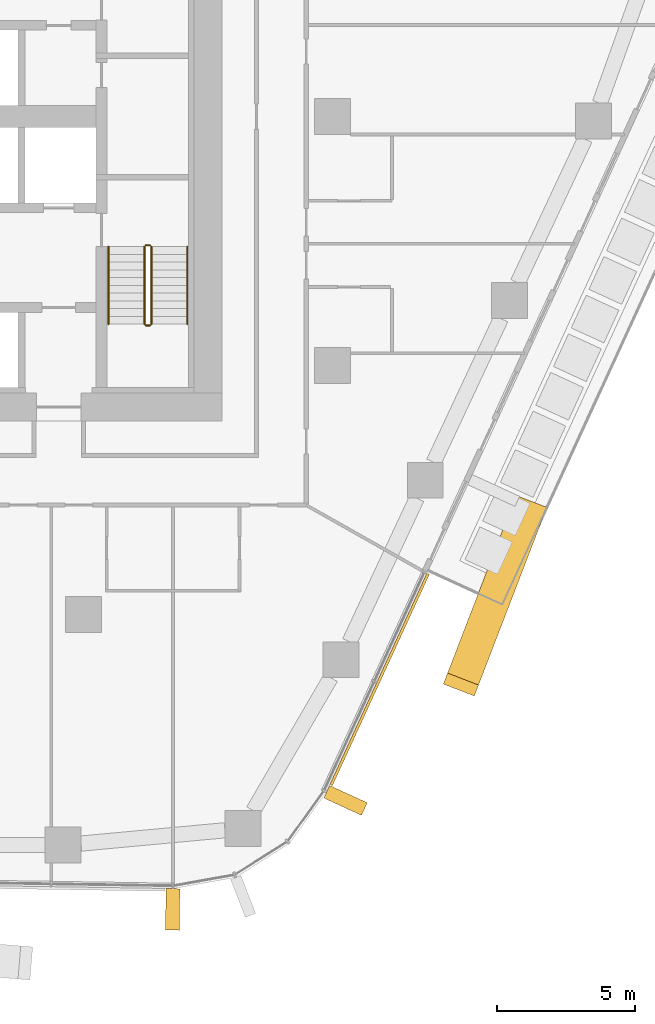
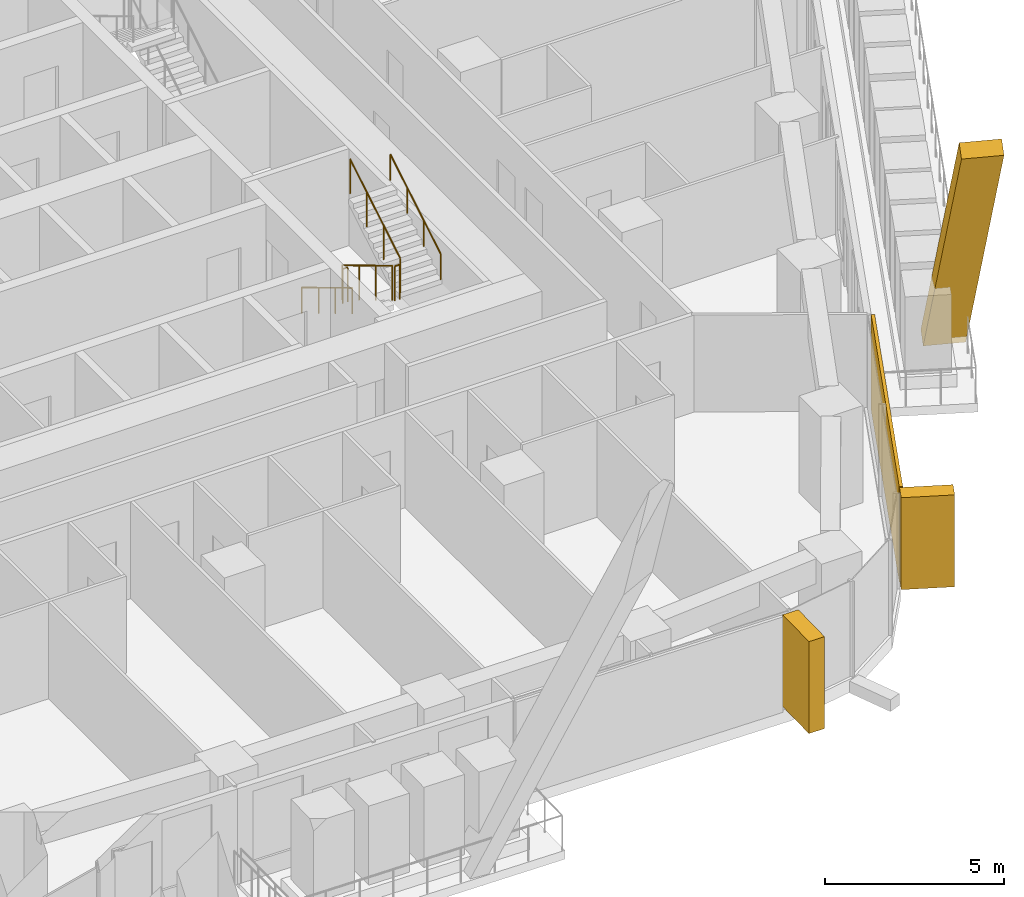
# One storey, part 21 of 25: 6 railings, 4 coverings, 2 elements without a shape of their own.
"""IFC4 building model written with IfcOpenShell, lengths in metres."""

from ifc_helpers import new_model, si_unit, direction, frame, origin, origin_2d, place, context, subcontext, project, spatial, rectangle, circle, extrude, material, layer, layer_set, material_profile, profile_set, type_object, element, aggregate, save


model = new_model("IFC4")

# Units and contexts
model_context = context("Model", 3, precision=1e-05, world=origin(), true_north=direction((0.0, 1.0)))
body_context = subcontext(model_context, "Body", "Model", "MODEL_VIEW")
ifc_project = project(units=[si_unit("LENGTHUNIT", "METRE"), si_unit("AREAUNIT", "SQUARE_METRE"), si_unit("VOLUMEUNIT", "CUBIC_METRE"), si_unit("PLANEANGLEUNIT", "RADIAN"), si_unit("MASSUNIT", "GRAM", prefix="KILO")], contexts=[model_context])

# Site, building, storey
site_placement = place(None, origin())
site = spatial("IfcSite", under=ifc_project, at=site_placement, CompositionType="ELEMENT")
building_placement = place(site_placement, origin())
building = spatial("IfcBuilding", under=site, at=building_placement, Name="Dongbaek Canopy Tower", CompositionType="ELEMENT")
storey_placement = place(building_placement, frame((0.0, 0.0, 102.60009765625)))
storey = spatial("IfcBuildingStorey", under=building, at=storey_placement, Name="L21", CompositionType="ELEMENT", Elevation=102.60009765625)

# Curtain wall, coverings
ifc_material_1 = material(Name="Aluminium 6063-T6 pale anodised", Category="aluminium")
ifc_layer_1 = layer(ifc_material_1, 0.199951171875)
ifc_layer_set_1 = layer_set([ifc_layer_1], Name="CW-1 unitised tower curtain wall")
curtain_wall_type = type_object("IfcCurtainWallType", Name="CW-1 unitised tower curtain wall", PredefinedType="NOTDEFINED", material=ifc_layer_set_1)
curtain_wall_1_placement = place(storey_placement, origin())
curtain_wall_1 = element("IfcCurtainWall", 1, at=curtain_wall_1_placement, inside=storey, type_object=curtain_wall_type, Name="CW-1 curtain wall F5.1", PredefinedType="NOTDEFINED")
ifc_material_2 = material(Name="Aluminium 6063-T6 pale metal fin", Category="aluminium")
ifc_material_profile_1 = material_profile(ifc_material_2, rectangle(XDim=1.199951171875, YDim=0.5, at=origin_2d()), Name="Crease fin CF1 500 x 1200 pale metal")
ifc_profile_set_1 = profile_set([ifc_material_profile_1], Name="Aluminium 6063-T6 pale metal fin")
covering_type_1 = type_object("IfcCoveringType", Name="Crease fin CF1 500 x 1200 pale metal", PredefinedType="CLADDING", material=ifc_profile_set_1)
covering_1_placement = place(storey_placement, frame((25.120849609375, -14.1142578125, -0.22509765625), z_axis=(-0.189148998467, -0.491048416106, 0.850349404315), x_axis=(0.933164518343, -0.359449553771, 0.0)))
covering_1 = element("IfcCovering", 2, at=covering_1_placement, type_object=covering_type_1, Name="Crease fin L21 L24 F5", PredefinedType="CLADDING", context=body_context, shape_type="SweptSolid", body=[
    extrude(rectangle(XDim=1.199951171875, YDim=0.5, at=origin_2d()), origin(), (0.0, 0.0, 1.0), 13.082763671875),
])
ifc_material_3 = material(Name="Perforated aluminium 6063-T6 pale metal screen", Category="aluminium")
ifc_layer_2 = layer(ifc_material_3, 0.10009765625)
ifc_layer_set_2 = layer_set([ifc_layer_2], Name="Facet screen FS1 100 pale metal")
covering_type_2 = type_object("IfcCoveringType", Name="Facet screen FS1 100 pale metal", PredefinedType="CLADDING", material=ifc_layer_set_2)
covering_2_placement = place(storey_placement, frame((19.7080078125, -20.35009765625, 0.0), z_axis=(0.0, 0.0, 1.0), x_axis=(0.417126438446, 0.908848466109, 0.0)))
covering_2 = element("IfcCovering", 3, at=covering_2_placement, type_object=covering_type_2, Name="Facet screen L21 F5", PredefinedType="CLADDING", context=body_context, shape_type="SweptSolid", body=[
    extrude(rectangle(XDim=8.408935546875, YDim=0.10009765625, at=origin_2d()), origin(), (0.0, 0.0, 1.0), 3.25),
])

# Curtain wall, covering
curtain_wall_2_placement = place(storey_placement, origin())
curtain_wall_2 = element("IfcCurtainWall", 4, at=curtain_wall_2_placement, inside=storey, type_object=curtain_wall_type, Name="CW-1 curtain wall F4.1", PredefinedType="NOTDEFINED")
ifc_material_4 = material(Name="Aluminium 6063-T6 pale metal fin", Category="aluminium")
ifc_material_profile_2 = material_profile(ifc_material_4, rectangle(XDim=1.5, YDim=0.5, at=origin_2d()), Name="Fin FN1 500 x 1500 pale metal")
ifc_profile_set_2 = profile_set([ifc_material_profile_2], Name="Aluminium 6063-T6 pale metal fin")
covering_type_3 = type_object("IfcCoveringType", Name="Fin FN1 500 x 1500 pale metal", PredefinedType="CLADDING", material=ifc_profile_set_2)
covering_3_placement = place(storey_placement, frame((12.220703125, -28.6708984375, 0.119873046875), z_axis=(0.0, 0.0, 1.0), x_axis=(-0.015412878639, -0.999881214531, 0.0)))
covering_3 = element("IfcCovering", 5, at=covering_3_placement, type_object=covering_type_3, Name="Fin F4.1.3", PredefinedType="CLADDING", context=body_context, shape_type="SweptSolid", body=[
    extrude(rectangle(XDim=1.5, YDim=0.5, at=origin_2d()), origin(), (0.0, 0.0, 1.0), 3.130126953125),
])
aggregate(curtain_wall_2, [covering_3])

# Covering
covering_4_placement = place(storey_placement, frame((18.47314453125, -24.728759765625, 0.119873046875), z_axis=(0.0, 0.0, 1.0), x_axis=(0.908848678728, -0.417125975185, 0.0)))
covering_4 = element("IfcCovering", 6, at=covering_4_placement, type_object=covering_type_3, Name="Fin F5.1.1", PredefinedType="CLADDING", context=body_context, shape_type="SweptSolid", body=[
    extrude(rectangle(XDim=1.5, YDim=0.5, at=origin_2d()), origin(), (0.0, 0.0, 1.0), 3.130126953125),
])

aggregate(curtain_wall_1, [covering_4, covering_1, covering_2])

# Railings
ifc_material_5 = material(Name="Stainless steel tube and balusters", Category="steel")
railing_type_1 = type_object("IfcRailingType", Name="Stair guard 1200", PredefinedType="GUARDRAIL", material=ifc_material_5)
railing_1_placement = place(storey_placement, frame((11.199951171875, -4.699951171875, 0.16796875)))
element("IfcRailing", 7, at=railing_1_placement, inside=storey, type_object=railing_type_1, Name="L21 ST-B stair guard 1", PredefinedType="GUARDRAIL", context=body_context, shape_type="SweptSolid", body=[
    extrude(circle(Radius=0.02392578125, at=origin_2d()), frame((0.0, 0.0, 1.17578125), z_axis=(0.0, -0.857242210791, 0.514913383045), x_axis=(1.0, 0.0, 0.0)), (0.0, 0.0, 1.0), 3.266357421875),
    extrude(circle(Radius=0.02099609375, at=origin_2d()), origin(), (0.0, 0.0, 1.0), 1.15185546875),
    extrude(circle(Radius=0.02099609375, at=origin_2d()), frame((0.0, -0.933349609375, 0.560546875)), (0.0, 0.0, 1.0), 1.15185546875),
    extrude(circle(Radius=0.02099609375, at=origin_2d()), frame((0.0, -1.86669921875, 1.121337890625)), (0.0, 0.0, 1.0), 1.15185546875),
    extrude(circle(Radius=0.02099609375, at=origin_2d()), frame((0.0, -2.800048828125, 1.681884765625)), (0.0, 0.0, 1.0), 1.15185546875),
])
railing_2_placement = place(storey_placement, frame((11.25, -7.550048828125, 1.849853515625)))
element("IfcRailing", 8, at=railing_2_placement, inside=storey, type_object=railing_type_1, Name="L21 ST-B stair guard 2", PredefinedType="GUARDRAIL", context=body_context, shape_type="SweptSolid", body=[
    extrude(circle(Radius=0.02392578125, at=origin_2d()), frame((0.0, 0.0, 1.17578125), z_axis=(1.0, 0.0, 0.0), x_axis=(0.0, 1.0, 0.0)), (0.0, 0.0, 1.0), 0.14990234375),
    extrude(circle(Radius=0.02099609375, at=origin_2d()), origin(), (0.0, 0.0, 1.0), 1.15185546875),
    extrude(circle(Radius=0.02099609375, at=origin_2d()), frame((0.14990234375, 0.0, 0.0)), (0.0, 0.0, 1.0), 1.15185546875),
])
railing_3_placement = place(storey_placement, frame((11.449951171875, -7.5, 2.01806640625)))
element("IfcRailing", 9, at=railing_3_placement, inside=storey, type_object=railing_type_1, Name="L21 ST-B stair guard 3", PredefinedType="GUARDRAIL", context=body_context, shape_type="SweptSolid", body=[
    extrude(circle(Radius=0.02392578125, at=origin_2d()), frame((0.0, 0.0, 1.17578125), z_axis=(0.0, 0.857242210791, 0.514913383045), x_axis=(-1.0, 0.0, 0.0)), (0.0, 0.0, 1.0), 3.266357421875),
    extrude(circle(Radius=0.02099609375, at=origin_2d()), origin(), (0.0, 0.0, 1.0), 1.15185546875),
    extrude(circle(Radius=0.02099609375, at=origin_2d()), frame((0.0, 0.933349609375, 0.560546875)), (0.0, 0.0, 1.0), 1.15185546875),
    extrude(circle(Radius=0.02099609375, at=origin_2d()), frame((0.0, 1.86669921875, 1.121337890625)), (0.0, 0.0, 1.0), 1.15185546875),
    extrude(circle(Radius=0.02099609375, at=origin_2d()), frame((0.0, 2.800048828125, 1.681884765625)), (0.0, 0.0, 1.0), 1.15185546875),
])
railing_4_placement = place(storey_placement, frame((11.25, -4.64990234375, 0.0)))
element("IfcRailing", 10, at=railing_4_placement, inside=storey, type_object=railing_type_1, Name="L21 ST-B stair guard 4", PredefinedType="GUARDRAIL", context=body_context, shape_type="SweptSolid", body=[
    extrude(circle(Radius=0.02392578125, at=origin_2d()), frame((0.0, 0.0, 1.17578125), z_axis=(1.0, 0.0, 0.0), x_axis=(0.0, 1.0, 0.0)), (0.0, 0.0, 1.0), 0.14990234375),
    extrude(circle(Radius=0.02099609375, at=origin_2d()), origin(), (0.0, 0.0, 1.0), 1.15185546875),
    extrude(circle(Radius=0.02099609375, at=origin_2d()), frame((0.14990234375, 0.0, 0.0)), (0.0, 0.0, 1.0), 1.15185546875),
])
ifc_material_6 = material(Name="Stainless steel tube", Category="steel")
railing_type_2 = type_object("IfcRailingType", Name="Stair handrail 900", PredefinedType="HANDRAIL", material=ifc_material_6)
railing_5_placement = place(storey_placement, frame((9.89990234375, -4.699951171875, 0.16796875)))
element("IfcRailing", 11, at=railing_5_placement, inside=storey, type_object=railing_type_2, Name="L21 ST-B stair handrail 1", PredefinedType="HANDRAIL", context=body_context, shape_type="SweptSolid", body=[
    extrude(circle(Radius=0.02392578125, at=origin_2d()), frame((0.0, 0.0, 0.8759765625), z_axis=(0.0, -0.857242210791, 0.514913383045), x_axis=(1.0, 0.0, 0.0)), (0.0, 0.0, 1.0), 3.266357421875),
    extrude(circle(Radius=0.02099609375, at=origin_2d()), origin(), (0.0, 0.0, 1.0), 0.851806640625),
    extrude(circle(Radius=0.02099609375, at=origin_2d()), frame((0.0, -0.933349609375, 0.560546875)), (0.0, 0.0, 1.0), 0.851806640625),
    extrude(circle(Radius=0.02099609375, at=origin_2d()), frame((0.0, -1.86669921875, 1.121337890625)), (0.0, 0.0, 1.0), 0.851806640625),
    extrude(circle(Radius=0.02099609375, at=origin_2d()), frame((0.0, -2.800048828125, 1.681884765625)), (0.0, 0.0, 1.0), 0.851806640625),
])
railing_6_placement = place(storey_placement, frame((12.75, -7.5, 2.01806640625)))
element("IfcRailing", 12, at=railing_6_placement, inside=storey, type_object=railing_type_2, Name="L21 ST-B stair handrail 2", PredefinedType="HANDRAIL", context=body_context, shape_type="SweptSolid", body=[
    extrude(circle(Radius=0.02392578125, at=origin_2d()), frame((0.0, 0.0, 0.8759765625), z_axis=(0.0, 0.857242210791, 0.514913383045), x_axis=(-1.0, 0.0, 0.0)), (0.0, 0.0, 1.0), 3.266357421875),
    extrude(circle(Radius=0.02099609375, at=origin_2d()), origin(), (0.0, 0.0, 1.0), 0.851806640625),
    extrude(circle(Radius=0.02099609375, at=origin_2d()), frame((0.0, 0.933349609375, 0.560546875)), (0.0, 0.0, 1.0), 0.851806640625),
    extrude(circle(Radius=0.02099609375, at=origin_2d()), frame((0.0, 1.86669921875, 1.121337890625)), (0.0, 0.0, 1.0), 0.851806640625),
    extrude(circle(Radius=0.02099609375, at=origin_2d()), frame((0.0, 2.800048828125, 1.681884765625)), (0.0, 0.0, 1.0), 0.851806640625),
])

save(model, "model.ifc")
